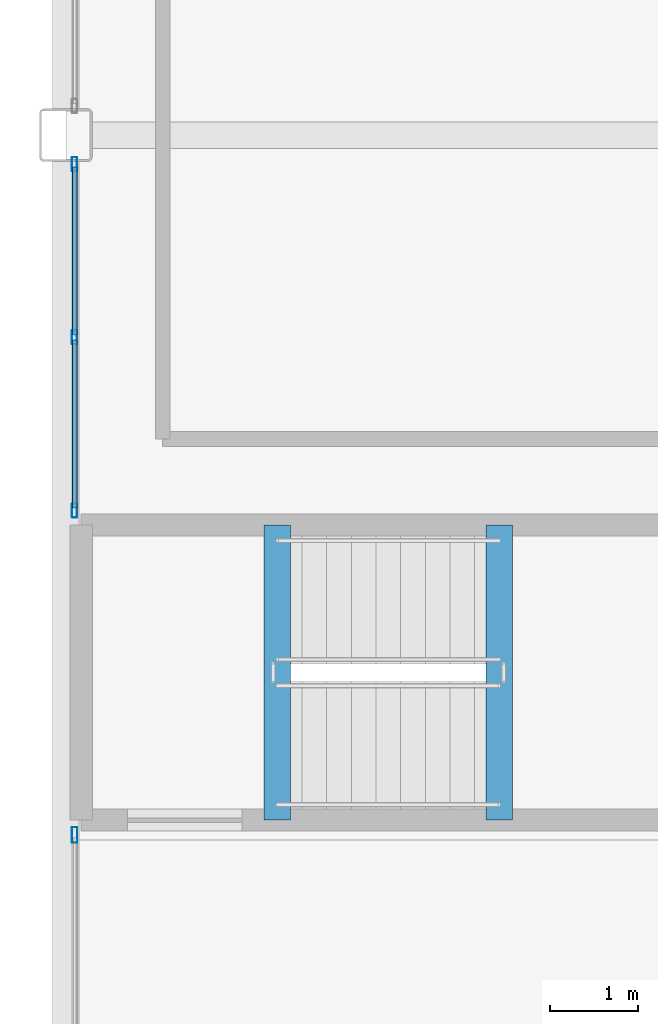
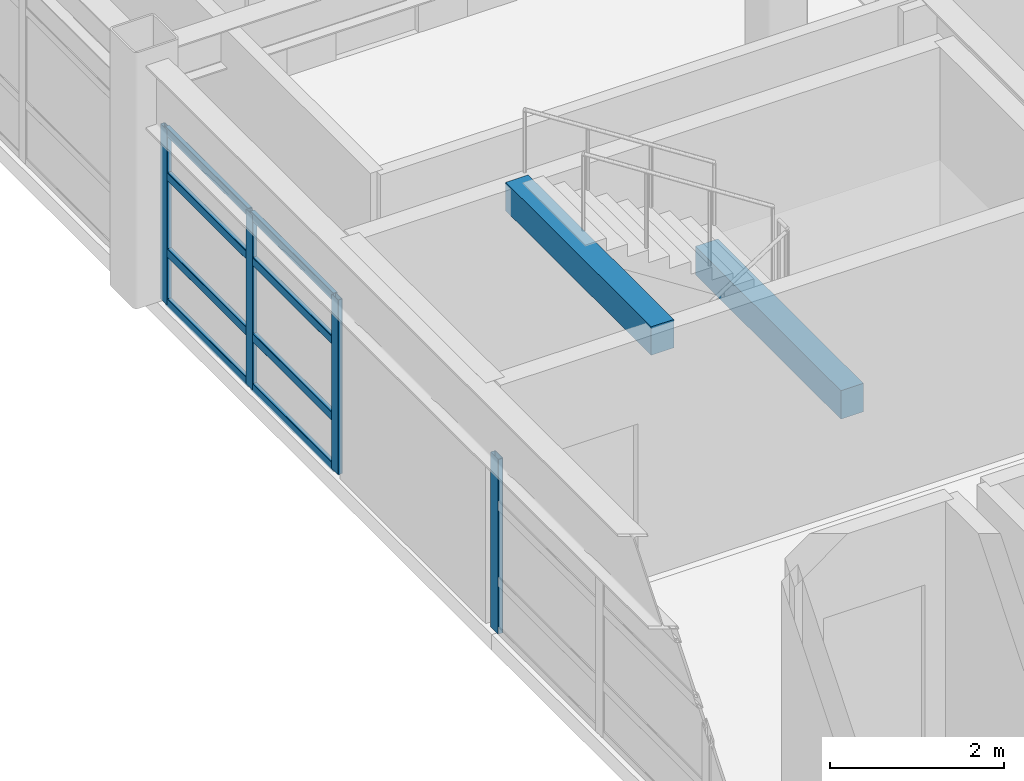
# One storey, part 14 of 38: 12 members, 2 beams, 2 elements without a shape of their own.
"""IFC4 building model written with IfcOpenShell, lengths in metres."""

from ifc_helpers import new_model, si_unit, direction, frame, origin, origin_2d, place, context, subcontext, project, spatial, rectangle, hollow_rectangle, extrude, material, layer, layer_set, material_profile, profile_set, type_object, element, aggregate, save


model = new_model("IFC4")

# Units and contexts
model_context = context("Model", 3, precision=1e-05, world=origin(), true_north=direction((0.0, 1.0)))
body_context = subcontext(model_context, "Body", "Model", "MODEL_VIEW")
ifc_project = project(units=[si_unit("LENGTHUNIT", "METRE"), si_unit("AREAUNIT", "SQUARE_METRE"), si_unit("VOLUMEUNIT", "CUBIC_METRE"), si_unit("PLANEANGLEUNIT", "RADIAN"), si_unit("MASSUNIT", "GRAM", prefix="KILO")], contexts=[model_context])

# Site, building, storey
site_placement = place(None, origin())
site = spatial("IfcSite", under=ifc_project, at=site_placement, CompositionType="ELEMENT")
building_placement = place(site_placement, origin())
building = spatial("IfcBuilding", under=site, at=building_placement, Name="Kazehara Bluff Congress Hotel", CompositionType="ELEMENT")
storey_placement = place(building_placement, frame((0.0, 0.0, 24.60009765625)))
storey = spatial("IfcBuildingStorey", under=building, at=storey_placement, Name="L05", CompositionType="ELEMENT", Elevation=24.60009765625)

# Curtain wall, members
ifc_material_1 = material(Name="Anodised aluminium", Category="aluminium")
ifc_layer_1 = layer(ifc_material_1, 0.159912109375)
ifc_layer_set_1 = layer_set([ifc_layer_1], Name="Anodised aluminium")
curtain_wall_type_1 = type_object("IfcCurtainWallType", Name="TP-CW-178", PredefinedType="NOTDEFINED", material=ifc_layer_set_1)
curtain_wall_1_placement = place(storey_placement, origin())
curtain_wall_1 = element("IfcCurtainWall", 1, at=curtain_wall_1_placement, inside=storey, type_object=curtain_wall_type_1, Name="L05 curtain wall CW-178 CW-ENC-V5-L05-14380-5416", PredefinedType="NOTDEFINED")
ifc_material_2 = material(Name="Anodised aluminium", Category="aluminium")
ifc_material_profile_1 = material_profile(ifc_material_2, hollow_rectangle(XDim=0.06005859375, YDim=0.159912109375, WallThickness=0.00390625, InnerFilletRadius=0.00390625, OuterFilletRadius=0.008056640625, at=origin_2d()))
ifc_profile_set_1 = profile_set([ifc_material_profile_1], Name="Anodised aluminium")
member_type_1 = type_object("IfcMemberType", Name="TP-CWM-01", PredefinedType="MULLION", material=ifc_profile_set_1)
member_1_placement = place(storey_placement, frame((143.800048828125, 52.18994140625, 0.0), z_axis=(0.0, 0.0, 1.0), x_axis=(-1.0, 0.0, 0.0)))
member_1 = element("IfcMember", 2, at=member_1_placement, type_object=member_type_1, Name="CW-178 mullion 1", PredefinedType="MULLION", context=body_context, shape_type="SweptSolid", body=[
    extrude(hollow_rectangle(XDim=0.06005859375, YDim=0.159912109375, WallThickness=0.00390625, InnerFilletRadius=0.00390625, OuterFilletRadius=0.008056640625, at=origin_2d()), origin(), (0.0, 0.0, 1.0), 2.454833984375),
])
member_2_placement = place(storey_placement, frame((143.800048828125, 54.155029296875, 0.0), z_axis=(0.0, 0.0, 1.0), x_axis=(-1.0, 0.0, 0.0)))
member_2 = element("IfcMember", 3, at=member_2_placement, type_object=member_type_1, Name="CW-178 mullion 2", PredefinedType="MULLION", context=body_context, shape_type="SweptSolid", body=[
    extrude(hollow_rectangle(XDim=0.06005859375, YDim=0.159912109375, WallThickness=0.00390625, InnerFilletRadius=0.00390625, OuterFilletRadius=0.008056640625, at=origin_2d()), origin(), (0.0, 0.0, 1.0), 2.454833984375),
])
member_3_placement = place(storey_placement, frame((143.800048828125, 56.1201171875, 0.0), z_axis=(0.0, 0.0, 1.0), x_axis=(-1.0, 0.0, 0.0)))
member_3 = element("IfcMember", 4, at=member_3_placement, type_object=member_type_1, Name="CW-178 mullion 3", PredefinedType="MULLION", context=body_context, shape_type="SweptSolid", body=[
    extrude(hollow_rectangle(XDim=0.06005859375, YDim=0.159912109375, WallThickness=0.00390625, InnerFilletRadius=0.00390625, OuterFilletRadius=0.008056640625, at=origin_2d()), origin(), (0.0, 0.0, 1.0), 2.454833984375),
])

# Curtain wall, member
ifc_material_3 = material(Name="Anodised aluminium", Category="aluminium")
ifc_layer_2 = layer(ifc_material_3, 0.159912109375)
ifc_layer_set_2 = layer_set([ifc_layer_2], Name="Anodised aluminium")
curtain_wall_type_2 = type_object("IfcCurtainWallType", Name="TP-CW-177", PredefinedType="NOTDEFINED", material=ifc_layer_set_2)
curtain_wall_2_placement = place(storey_placement, origin())
curtain_wall_2 = element("IfcCurtainWall", 5, at=curtain_wall_2_placement, inside=storey, type_object=curtain_wall_type_2, Name="L05 curtain wall CW-177 CW-ENC-V5-L05-14380-4487", PredefinedType="NOTDEFINED")
ifc_material_4 = material(Name="Anodised aluminium", Category="aluminium")
ifc_material_profile_2 = material_profile(ifc_material_4, hollow_rectangle(XDim=0.06494140625, YDim=0.179931640625, WallThickness=0.00390625, InnerFilletRadius=0.00390625, OuterFilletRadius=0.008056640625, at=origin_2d()))
ifc_profile_set_2 = profile_set([ifc_material_profile_2], Name="Anodised aluminium")
member_type_2 = type_object("IfcMemberType", Name="TP-CWM-02", PredefinedType="MULLION", material=ifc_profile_set_2)
member_4_placement = place(storey_placement, frame((143.800048828125, 48.507568359375, 0.0), z_axis=(0.0, 0.0, 1.0), x_axis=(-1.0, 0.0, 0.0)))
member_4 = element("IfcMember", 6, at=member_4_placement, type_object=member_type_2, Name="CW-177 mullion 4", PredefinedType="MULLION", context=body_context, shape_type="SweptSolid", body=[
    extrude(hollow_rectangle(XDim=0.06494140625, YDim=0.179931640625, WallThickness=0.00390625, InnerFilletRadius=0.00390625, OuterFilletRadius=0.008056640625, at=origin_2d()), origin(), (0.0, 0.0, 1.0), 2.454833984375),
])
aggregate(curtain_wall_2, [member_4])

# Member
ifc_material_5 = material(Name="Anodised aluminium", Category="aluminium")
ifc_material_profile_3 = material_profile(ifc_material_5, hollow_rectangle(XDim=0.06005859375, YDim=0.1201171875, WallThickness=0.00390625, InnerFilletRadius=0.00390625, OuterFilletRadius=0.008056640625, at=origin_2d()))
ifc_profile_set_3 = profile_set([ifc_material_profile_3], Name="Anodised aluminium")
member_type_3 = type_object("IfcMemberType", Name="TP-CWT-01", PredefinedType="USERDEFINED", material=ifc_profile_set_3)
member_5_placement = place(storey_placement, frame((143.800048828125, 52.219970703125, 0.02978515625), z_axis=(0.0, 1.0, 0.0), x_axis=(-1.0, 0.0, 0.0)))
member_5 = element("IfcMember", 7, at=member_5_placement, type_object=member_type_3, Name="CW-178 transom 1.1", ObjectType="TRANSOM", PredefinedType="USERDEFINED", context=body_context, shape_type="SweptSolid", body=[
    extrude(hollow_rectangle(XDim=0.06005859375, YDim=0.1201171875, WallThickness=0.00390625, InnerFilletRadius=0.00390625, OuterFilletRadius=0.008056640625, at=origin_2d()), origin(), (0.0, 0.0, 1.0), 1.905029296875),
])

member_6_placement = place(storey_placement, frame((143.800048828125, 52.219970703125, 0.73486328125), z_axis=(0.0, 1.0, 0.0), x_axis=(-1.0, 0.0, 0.0)))
member_6 = element("IfcMember", 8, at=member_6_placement, type_object=member_type_3, Name="CW-178 transom 1.2", ObjectType="TRANSOM", PredefinedType="USERDEFINED", context=body_context, shape_type="SweptSolid", body=[
    extrude(hollow_rectangle(XDim=0.06005859375, YDim=0.1201171875, WallThickness=0.00390625, InnerFilletRadius=0.00390625, OuterFilletRadius=0.008056640625, at=origin_2d()), origin(), (0.0, 0.0, 1.0), 1.905029296875),
])

member_7_placement = place(storey_placement, frame((143.800048828125, 52.219970703125, 1.804931640625), z_axis=(0.0, 1.0, 0.0), x_axis=(-1.0, 0.0, 0.0)))
member_7 = element("IfcMember", 9, at=member_7_placement, type_object=member_type_3, Name="CW-178 transom 1.3", ObjectType="TRANSOM", PredefinedType="USERDEFINED", context=body_context, shape_type="SweptSolid", body=[
    extrude(hollow_rectangle(XDim=0.06005859375, YDim=0.1201171875, WallThickness=0.00390625, InnerFilletRadius=0.00390625, OuterFilletRadius=0.008056640625, at=origin_2d()), origin(), (0.0, 0.0, 1.0), 1.905029296875),
])

member_8_placement = place(storey_placement, frame((143.800048828125, 52.219970703125, 2.4248046875), z_axis=(0.0, 1.0, 0.0), x_axis=(-1.0, 0.0, 0.0)))
member_8 = element("IfcMember", 10, at=member_8_placement, type_object=member_type_3, Name="CW-178 transom 1.4", ObjectType="TRANSOM", PredefinedType="USERDEFINED", context=body_context, shape_type="SweptSolid", body=[
    extrude(hollow_rectangle(XDim=0.06005859375, YDim=0.1201171875, WallThickness=0.00390625, InnerFilletRadius=0.00390625, OuterFilletRadius=0.008056640625, at=origin_2d()), origin(), (0.0, 0.0, 1.0), 1.905029296875),
])

member_9_placement = place(storey_placement, frame((143.800048828125, 54.18505859375, 0.02978515625), z_axis=(0.0, 1.0, 0.0), x_axis=(-1.0, 0.0, 0.0)))
member_9 = element("IfcMember", 11, at=member_9_placement, type_object=member_type_3, Name="CW-178 transom 2.1", ObjectType="TRANSOM", PredefinedType="USERDEFINED", context=body_context, shape_type="SweptSolid", body=[
    extrude(hollow_rectangle(XDim=0.06005859375, YDim=0.1201171875, WallThickness=0.00390625, InnerFilletRadius=0.00390625, OuterFilletRadius=0.008056640625, at=origin_2d()), origin(), (0.0, 0.0, 1.0), 1.905029296875),
])

member_10_placement = place(storey_placement, frame((143.800048828125, 54.18505859375, 0.73486328125), z_axis=(0.0, 1.0, 0.0), x_axis=(-1.0, 0.0, 0.0)))
member_10 = element("IfcMember", 12, at=member_10_placement, type_object=member_type_3, Name="CW-178 transom 2.2", ObjectType="TRANSOM", PredefinedType="USERDEFINED", context=body_context, shape_type="SweptSolid", body=[
    extrude(hollow_rectangle(XDim=0.06005859375, YDim=0.1201171875, WallThickness=0.00390625, InnerFilletRadius=0.00390625, OuterFilletRadius=0.008056640625, at=origin_2d()), origin(), (0.0, 0.0, 1.0), 1.905029296875),
])

member_11_placement = place(storey_placement, frame((143.800048828125, 54.18505859375, 1.804931640625), z_axis=(0.0, 1.0, 0.0), x_axis=(-1.0, 0.0, 0.0)))
member_11 = element("IfcMember", 13, at=member_11_placement, type_object=member_type_3, Name="CW-178 transom 2.3", ObjectType="TRANSOM", PredefinedType="USERDEFINED", context=body_context, shape_type="SweptSolid", body=[
    extrude(hollow_rectangle(XDim=0.06005859375, YDim=0.1201171875, WallThickness=0.00390625, InnerFilletRadius=0.00390625, OuterFilletRadius=0.008056640625, at=origin_2d()), origin(), (0.0, 0.0, 1.0), 1.905029296875),
])

member_12_placement = place(storey_placement, frame((143.800048828125, 54.18505859375, 2.4248046875), z_axis=(0.0, 1.0, 0.0), x_axis=(-1.0, 0.0, 0.0)))
member_12 = element("IfcMember", 14, at=member_12_placement, type_object=member_type_3, Name="CW-178 transom 2.4", ObjectType="TRANSOM", PredefinedType="USERDEFINED", context=body_context, shape_type="SweptSolid", body=[
    extrude(hollow_rectangle(XDim=0.06005859375, YDim=0.1201171875, WallThickness=0.00390625, InnerFilletRadius=0.00390625, OuterFilletRadius=0.008056640625, at=origin_2d()), origin(), (0.0, 0.0, 1.0), 1.905029296875),
])

aggregate(curtain_wall_1, [member_1, member_2, member_3, member_5, member_6, member_7, member_8, member_9, member_10, member_11, member_12])

# Beams
ifc_material_6 = material(Name="Concrete C40/50", Category="concrete")
ifc_material_profile_4 = material_profile(ifc_material_6, rectangle(XDim=0.300048828125, YDim=0.39990234375, at=origin_2d()))
ifc_profile_set_4 = profile_set([ifc_material_profile_4], Name="Concrete C40/50")
beam_type = type_object("IfcBeamType", Name="TP-LN-02", PredefinedType="LINTEL", material=ifc_profile_set_4)
for number, where, z_axis, x_axis, name in (
    (15, (148.6201171875, 48.675048828125, 1.419921875), (0.0, 1.0, 0.0), (-1.0, 0.0, 0.0), "L05 ST-11 half-landing support beam 1"),
    (16, (146.10009765625, 48.675048828125, 3.199951171875), (0.0, 1.0, 0.0), (-1.0, 0.0, 0.0), "L06 ST-11 stairwell trimmer beam"),
):
    element("IfcBeam", number, at=place(storey_placement, frame(where, z_axis=z_axis, x_axis=x_axis)), inside=storey, type_object=beam_type, Name=name, PredefinedType="LINTEL", context=body_context, shape_type="SweptSolid", body=[
        extrude(rectangle(XDim=0.300048828125, YDim=0.39990234375, at=origin_2d()), origin(), (0.0, 0.0, 1.0), 3.349853515625),
    ])

save(model, "model.ifc")
